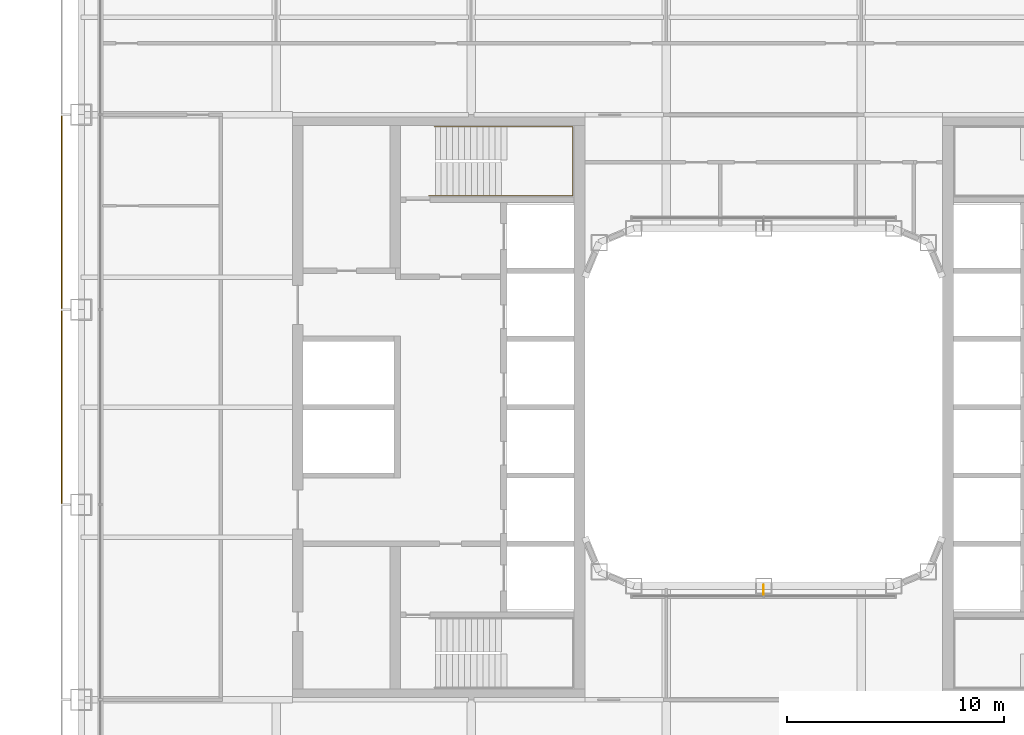
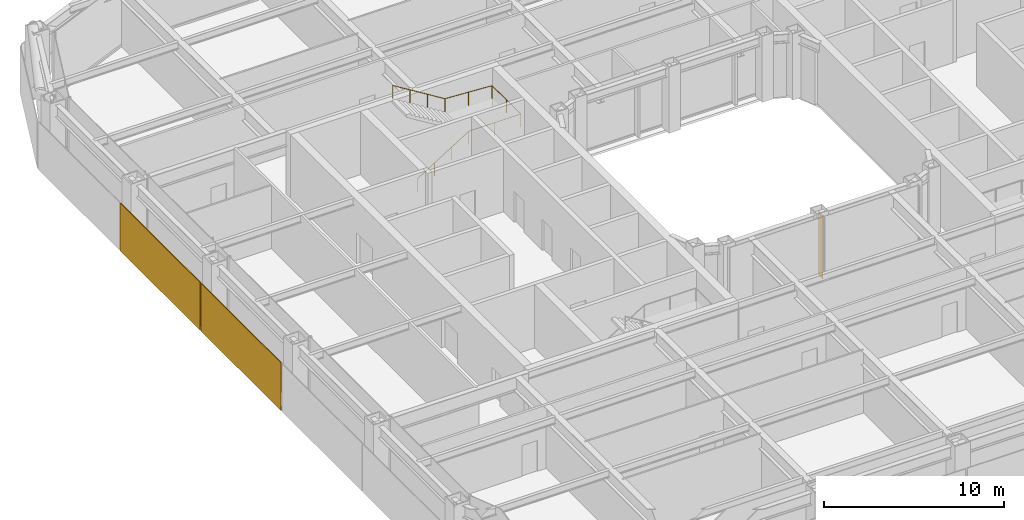
# One storey, part 24 of 27: 2 coverings, 1 railing, 1 shading device.
"""IFC4 building model written with IfcOpenShell, lengths in metres."""

from ifc_helpers import new_model, si_unit, direction, frame, origin, origin_2d, place, context, subcontext, project, spatial, rectangle, circle, extrude, material, layer, layer_set, type_object, element, save


model = new_model("IFC4")

# Units and contexts
model_context = context("Model", 3, precision=1e-05, world=origin(), true_north=direction((0.0, 1.0)))
body_context = subcontext(model_context, "Body", "Model", "MODEL_VIEW")
ifc_project = project(units=[si_unit("LENGTHUNIT", "METRE"), si_unit("AREAUNIT", "SQUARE_METRE"), si_unit("VOLUMEUNIT", "CUBIC_METRE"), si_unit("PLANEANGLEUNIT", "RADIAN"), si_unit("MASSUNIT", "GRAM", prefix="KILO")], contexts=[model_context])

# Site, building, storey
site_placement = place(None, origin())
site = spatial("IfcSite", under=ifc_project, at=site_placement, CompositionType="ELEMENT")
building_placement = place(site_placement, origin())
building = spatial("IfcBuilding", under=site, at=building_placement, Name="Siwar Civic Tower", CompositionType="ELEMENT")
storey_placement = place(building_placement, frame((0.0, 0.0, 89.699951171875)))
storey = spatial("IfcBuildingStorey", under=building, at=storey_placement, Name="L19", CompositionType="ELEMENT", Elevation=89.699951171875)

# Railing
ifc_material_1 = material(Name="Stainless steel", Category="steel")
railing_type = type_object("IfcRailingType", Name="CORE-STAIR-HANDRAIL", PredefinedType="HANDRAIL", material=ifc_material_1)
railing_placement = place(storey_placement, frame((-15.449951171875, 9.758056640625, 0.173095703125)))
element("IfcRailing", 1, at=railing_placement, inside=storey, type_object=railing_type, Name="Stair handrail ST1", PredefinedType="HANDRAIL", context=body_context, shape_type="SweptSolid", body=[
    extrude(circle(Radius=0.02001953125, at=origin_2d()), frame((0.0, 0.0, 0.8798828125), z_axis=(0.847063342986, 0.0, 0.531491950051), x_axis=(0.0, 1.0, 0.0)), (0.0, 0.0, 1.0), 3.90771484375),
    extrude(circle(Radius=0.02001953125, at=origin_2d()), frame((3.31005859375, 0.0, 2.956787109375), z_axis=(1.0, 0.0, 0.0), x_axis=(0.0, 1.0, 0.0)), (0.0, 0.0, 1.0), 3.331787109375),
    extrude(circle(Radius=0.02001953125, at=origin_2d()), frame((6.641845703125, 0.0, 2.956787109375), z_axis=(0.0, 1.0, 0.0), x_axis=(-1.0, 0.0, 0.0)), (0.0, 0.0, 1.0), 3.183837890625),
    extrude(circle(Radius=0.02001953125, at=origin_2d()), frame((6.641845703125, 3.183837890625, 2.956787109375), z_axis=(-0.99837434197, 0.0, 0.056997134106), x_axis=(0.0, -1.0, 0.0)), (0.0, 0.0, 1.0), 3.036865234375),
    extrude(circle(Radius=0.02001953125, at=origin_2d()), frame((3.60986328125, 3.183837890625, 3.1298828125), z_axis=(-0.850606129759, 0.0, 0.525803396734), x_axis=(0.0, -1.0, 0.0)), (0.0, 0.0, 1.0), 3.949951171875),
    extrude(circle(Radius=0.02001953125, at=origin_2d()), origin(), (0.0, 0.0, 1.0), 0.85986328125),
    extrude(circle(Radius=0.02001953125, at=origin_2d()), frame((1.103271484375, 0.0, 0.6923828125)), (0.0, 0.0, 1.0), 0.85986328125),
    extrude(circle(Radius=0.02001953125, at=origin_2d()), frame((2.206787109375, 0.0, 1.384521484375)), (0.0, 0.0, 1.0), 0.85986328125),
    extrude(circle(Radius=0.02001953125, at=origin_2d()), frame((3.31005859375, 0.0, 2.076904296875)), (0.0, 0.0, 1.0), 0.85986328125),
    extrude(circle(Radius=0.02001953125, at=origin_2d()), frame((4.97607421875, 0.0, 2.076904296875)), (0.0, 0.0, 1.0), 0.85986328125),
    extrude(circle(Radius=0.02001953125, at=origin_2d()), frame((6.641845703125, 0.0, 2.076904296875)), (0.0, 0.0, 1.0), 0.85986328125),
    extrude(circle(Radius=0.02001953125, at=origin_2d()), frame((6.641845703125, 1.591796875, 2.076904296875)), (0.0, 0.0, 1.0), 0.85986328125),
    extrude(circle(Radius=0.02001953125, at=origin_2d()), frame((6.641845703125, 3.183837890625, 2.076904296875)), (0.0, 0.0, 1.0), 0.85986328125),
    extrude(circle(Radius=0.02001953125, at=origin_2d()), frame((5.1259765625, 3.183837890625, 2.16357421875)), (0.0, 0.0, 1.0), 0.85986328125),
    extrude(circle(Radius=0.02001953125, at=origin_2d()), frame((3.60986328125, 3.183837890625, 2.25)), (0.0, 0.0, 1.0), 0.85986328125),
    extrude(circle(Radius=0.02001953125, at=origin_2d()), frame((2.489990234375, 3.183837890625, 2.9423828125)), (0.0, 0.0, 1.0), 0.85986328125),
    extrude(circle(Radius=0.02001953125, at=origin_2d()), frame((1.369873046875, 3.183837890625, 3.634521484375)), (0.0, 0.0, 1.0), 0.85986328125),
    extrude(circle(Radius=0.02001953125, at=origin_2d()), frame((0.25, 3.183837890625, 4.326904296875)), (0.0, 0.0, 1.0), 0.85986328125),
])

# Shading device
ifc_material_2 = material(Name="Aluminium 6063-T6", Category="aluminium")
ifc_layer_1 = layer(ifc_material_2, 0.02001953125)
ifc_layer_set_1 = layer_set([ifc_layer_1], Name="Aluminium 6063-T6")
shading_device_type = type_object("IfcShadingDeviceType", Name="ENV-FIN", PredefinedType="JALOUSIE", material=ifc_layer_set_1)
shading_device_placement = place(storey_placement, frame((0.0, -8.419921875, 0.0), z_axis=(0.0, 0.0, 1.0), x_axis=(1.0, 0.0, 0.0)))
element("IfcShadingDevice", 2, at=shading_device_placement, inside=storey, type_object=shading_device_type, Name="SUNSHADE fin WS 1", PredefinedType="JALOUSIE", context=body_context, shape_type="SweptSolid", body=[
    extrude(rectangle(XDim=0.02001953125, YDim=0.449951171875, at=origin_2d()), origin(), (0.0, 0.0, 1.0), 4.300048828125),
])

# Coverings
ifc_material_3 = material(Name="Perforated aluminium cassette, pale metal", Category="aluminium")
ifc_layer_2 = layer(ifc_material_3, 0.050048828125)
ifc_layer_set_2 = layer_set([ifc_layer_2], Name="Perforated aluminium cassette, pale metal")
covering_type = type_object("IfcCoveringType", Name="ENV-OUTER SKIN OS-3", PredefinedType="CLADDING", material=ifc_layer_set_2)
for number, where, z_axis, x_axis, name in (
    (3, (-32.39990234375, 9.0, -0.14990234375), (0.0, 0.0, 1.0), (0.0, -1.0, 0.0), "OUTER SKIN OS-3 W 2"),
    (4, (-32.39990234375, 0.0, -0.14990234375), (0.0, 0.0, 1.0), (0.0, -1.0, 0.0), "OUTER SKIN OS-3 W 3"),
):
    element("IfcCovering", number, at=place(storey_placement, frame(where, z_axis=z_axis, x_axis=x_axis)), inside=storey, type_object=covering_type, Name=name, PredefinedType="CLADDING", context=body_context, shape_type="SweptSolid", body=[
        extrude(rectangle(XDim=8.89990234375, YDim=0.050048828125, at=origin_2d()), origin(), (0.0, 0.0, 1.0), 3.25),
    ])

save(model, "model.ifc")
